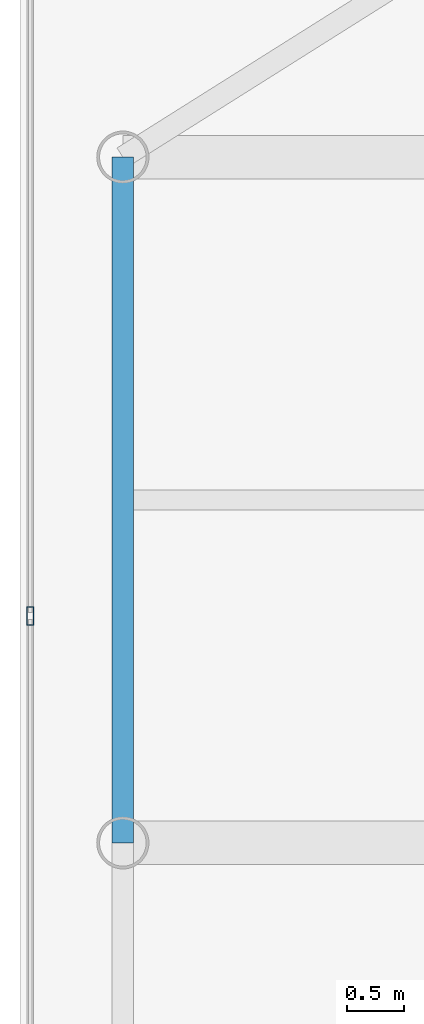
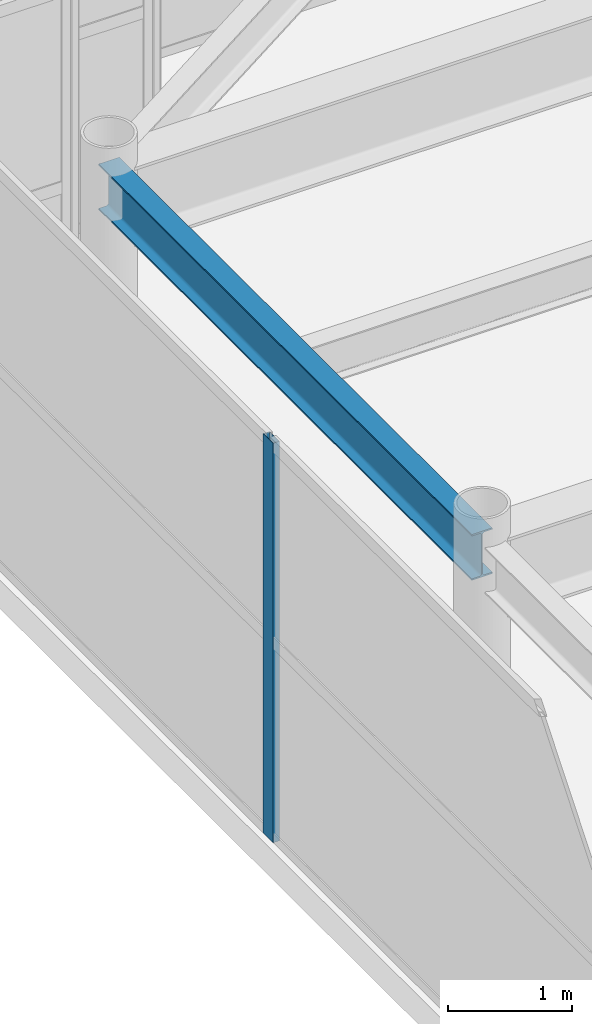
# One storey, part 13 of 32: 1 beam, 1 member, 1 element without a shape of its own.
"""IFC4 building model written with IfcOpenShell, lengths in metres."""

import ifcopenshell
import ifcopenshell.guid

model = None  # the IFC model being written
_history = None  # IfcOwnerHistory: only IFC2X3 demands one
_inside = {}  # id of a spatial element -> (the spatial element, [elements in it])
_under = {}  # id of a project, library or spatial element -> (it, [spatial elements below it])
_declared = {}  # id of a project -> (the project, [libraries it declares])
_typed = {}  # id of a type object -> (the type object, [elements of that type])
_made_of = {}  # id of a material, layer set ... -> (it, [elements and type objects made of it])


def new_model(schema):
    """Start an empty IFC model of exactly this schema.

    Asked for "IFC4X3", IfcOpenShell would pick the latest addendum, in which some entities
    have other attributes; the version numbers below select the first issue.
    IFC2X3 requires an IfcOwnerHistory on every rooted entity: one is made here for all.
    """
    global model, _history
    if schema == "IFC4X3":
        model = ifcopenshell.file(schema_version=(4, 3, 0, 0))
    else:
        model = ifcopenshell.file(schema=schema)
    _inside.clear()
    _under.clear()
    _declared.clear()
    _typed.clear()
    _made_of.clear()
    _history = None
    if model.schema == "IFC2X3":
        org = make("IfcOrganization", Name="unknown")
        user = make(
            "IfcPersonAndOrganization",
            ThePerson=make("IfcPerson", FamilyName="unknown"),
            TheOrganization=org,
        )
        app = make(
            "IfcApplication",
            ApplicationDeveloper=org,
            Version="unknown",
            ApplicationFullName="unknown",
            ApplicationIdentifier="unknown",
        )
        _history = make(
            "IfcOwnerHistory",
            OwningUser=user,
            OwningApplication=app,
            ChangeAction="ADDED",
            CreationDate=0,
        )
    return model


def make(cls, **values):
    """One entity of the class cls with the attributes given. An attribute that is None is left unset."""
    return model.create_entity(
        cls, **{name: value for name, value in values.items() if value is not None}
    )


def rooted(cls, **values):
    """An entity with a GlobalId (a new one), such as an element, a storey or a relation."""
    return make(cls, GlobalId=ifcopenshell.guid.new(), OwnerHistory=_history, **values)


def si_unit(unit_type, name, prefix=None):
    """IfcSIUnit, for example si_unit("LENGTHUNIT", "METRE", prefix="MILLI")."""
    return make("IfcSIUnit", UnitType=unit_type, Prefix=prefix, Name=name)


def assignment(units):
    """IfcUnitAssignment: the units of a project."""
    return None if units is None else make("IfcUnitAssignment", Units=units)


def point(xyz):
    """IfcCartesianPoint."""
    return None if xyz is None else make("IfcCartesianPoint", Coordinates=xyz)


def direction(xyz):
    """IfcDirection."""
    return None if xyz is None else make("IfcDirection", DirectionRatios=xyz)


def frame(location, z_axis=None, x_axis=None):
    """IfcAxis2Placement3D, a coordinate frame: its origin and axes. An axis left out is left unset."""
    return make(
        "IfcAxis2Placement3D",
        Location=point(location),
        Axis=direction(z_axis),
        RefDirection=direction(x_axis),
    )


def frame_2d(location, x_axis=None):
    """IfcAxis2Placement2D, a coordinate frame in the plane: its origin and x axis."""
    return make(
        "IfcAxis2Placement2D", Location=point(location), RefDirection=direction(x_axis)
    )


def origin():
    """The frame at (0, 0, 0) with its axes left unset."""
    return frame((0.0, 0.0, 0.0))


def origin_2d():
    """The frame at (0, 0) in the plane with its x axis left unset."""
    return frame_2d((0.0, 0.0))


def place(relative_to, where):
    """IfcLocalPlacement: puts the frame where relative to a parent placement (None: the world)."""
    return make(
        "IfcLocalPlacement", PlacementRelTo=relative_to, RelativePlacement=where
    )


def context(
    kind, dimensions, precision=None, world=None, true_north=None, identifier=None
):
    """IfcGeometricRepresentationContext, for example the 3D "Model" context."""
    return make(
        "IfcGeometricRepresentationContext",
        ContextIdentifier=identifier,
        ContextType=kind,
        CoordinateSpaceDimension=dimensions,
        Precision=precision,
        WorldCoordinateSystem=world,
        TrueNorth=true_north,
    )


def subcontext(parent, identifier, kind, view, scale=None):
    """IfcGeometricRepresentationSubContext, for example "Body" below "Model"."""
    return make(
        "IfcGeometricRepresentationSubContext",
        ContextIdentifier=identifier,
        ContextType=kind,
        ParentContext=parent,
        TargetScale=scale,
        TargetView=view,
    )


def project(units=None, contexts=None):
    """IfcProject with its units and contexts."""
    return rooted(
        "IfcProject",
        Name="project",
        RepresentationContexts=contexts,
        UnitsInContext=assignment(units),
    )


def spatial(cls, under=None, at=None, **own):
    """A site, building, storey or space (cls), placed at a placement, below another one or the project."""
    s = rooted(cls, ObjectPlacement=at, **own)
    if under is not None:
        _under.setdefault(under.id(), (under, []))[1].append(s)
    return s


def profile(cls, at=None, kind="AREA", **sizes):
    """A parametric profile (cls). Its sizes go by their IFC names, for example OverallWidth=200.0."""
    return make(cls, ProfileType=kind, Position=at, **sizes)


def hollow_rectangle(**sizes):
    """IfcRectangleHollowProfileDef."""
    return profile("IfcRectangleHollowProfileDef", **sizes)


def i_section(**sizes):
    """IfcIShapeProfileDef."""
    return profile("IfcIShapeProfileDef", **sizes)


def extrude(swept, where, along, depth):
    """IfcExtrudedAreaSolid: the profile swept, set in the frame where, extruded along a direction by depth."""
    return make(
        "IfcExtrudedAreaSolid",
        SweptArea=swept,
        Position=where,
        ExtrudedDirection=direction(along),
        Depth=depth,
    )


def shape(context_of_items, identifier, shape_type, items):
    """IfcShapeRepresentation: the items that make up one representation, for example the "Body"."""
    return make(
        "IfcShapeRepresentation",
        ContextOfItems=context_of_items,
        RepresentationIdentifier=identifier,
        RepresentationType=shape_type,
        Items=items,
    )


def source(mapping_origin, context_of_items, identifier, shape_type, items):
    """IfcRepresentationMap: a shape defined once, which mapped items show again and again."""
    return make(
        "IfcRepresentationMap",
        MappingOrigin=mapping_origin,
        MappedRepresentation=shape(context_of_items, identifier, shape_type, items),
    )


def transform(
    local_origin,
    x_axis=None,
    y_axis=None,
    z_axis=None,
    scale=None,
    scale2=None,
    scale3=None,
    uniform=True,
):
    """IfcCartesianTransformationOperator3D, or its non-uniform kind. x_axis, y_axis, z_axis: its Axis1, 2, 3."""
    if uniform:
        return make(
            "IfcCartesianTransformationOperator3D",
            Axis1=direction(x_axis),
            Axis2=direction(y_axis),
            LocalOrigin=point(local_origin),
            Scale=scale,
            Axis3=direction(z_axis),
        )
    return make(
        "IfcCartesianTransformationOperator3DnonUniform",
        Axis1=direction(x_axis),
        Axis2=direction(y_axis),
        LocalOrigin=point(local_origin),
        Scale=scale,
        Axis3=direction(z_axis),
        Scale2=scale2,
        Scale3=scale3,
    )


def mapped(mapping_source, mapping_target):
    """IfcMappedItem: shows the shape of a source again, moved by a transform."""
    return make(
        "IfcMappedItem", MappingSource=mapping_source, MappingTarget=mapping_target
    )


def material(Name=None, Category=None):
    """IfcMaterial."""
    return make("IfcMaterial", Name=Name, Category=Category)


def layer(
    of_material, thickness, ventilated=None, Name=None, Category=None, Priority=None
):
    """IfcMaterialLayer: one layer of a wall or slab, of a material (None: an air gap)."""
    return make(
        "IfcMaterialLayer",
        Material=of_material,
        LayerThickness=thickness,
        IsVentilated=ventilated,
        Name=Name,
        Category=Category,
        Priority=Priority,
    )


def layer_set(layers, Name=None):
    """IfcMaterialLayerSet."""
    return make("IfcMaterialLayerSet", MaterialLayers=layers, LayerSetName=Name)


def material_profile(
    of_material, cross_section, Name=None, Category=None, Priority=None
):
    """IfcMaterialProfile: a cross section and its material."""
    return make(
        "IfcMaterialProfile",
        Name=Name,
        Material=of_material,
        Profile=cross_section,
        Priority=Priority,
        Category=Category,
    )


def profile_set(profiles, Name=None, composite=None):
    """IfcMaterialProfileSet."""
    return make(
        "IfcMaterialProfileSet",
        Name=Name,
        MaterialProfiles=profiles,
        CompositeProfile=composite,
    )


def made_of(thing, what):
    """Note that an element or type object is made of a material, layer set ...; save() writes the relation."""
    if what is not None:
        _made_of.setdefault(what.id(), (what, []))[1].append(thing)
    return thing


def type_object(cls, material=None, **own):
    """A type object (cls), such as IfcWallType, which elements share."""
    return made_of(rooted(cls, **own), material)


def element(
    cls,
    number,
    at=None,
    inside=None,
    cuts=None,
    type_object=None,
    material=None,
    context=None,
    identifier="Body",
    shape_type=None,
    held_by="IfcProductDefinitionShape",
    body=None,
    shapes=None,
    **own,
):
    """One element of the class cls, such as IfcWall. Its Tag is "e" and its number.

    at: its placement. inside: the storey or other place that contains it. cuts: it is an
    opening in that element (IfcRelVoidsElement). A single representation is given by context,
    identifier, shape_type and body (its items); several are given by shapes. held_by: the class
    of the entity that holds the representations. save() writes the other relations.
    """
    e = rooted(cls, Tag="e%d" % number, ObjectPlacement=at, **own)
    if body is not None:
        shapes = [shape(context, identifier, shape_type, body)]
    if shapes is not None:
        e.Representation = make(held_by, Representations=shapes)
    if inside is not None:
        _inside.setdefault(inside.id(), (inside, []))[1].append(e)
    if cuts is not None:
        rooted(
            "IfcRelVoidsElement", RelatingBuildingElement=cuts, RelatedOpeningElement=e
        )
    if type_object is not None:
        _typed.setdefault(type_object.id(), (type_object, []))[1].append(e)
    return made_of(e, material)


def aggregate(whole, parts):
    """IfcRelAggregates: a whole, such as a stair, and the parts it consists of."""
    return rooted("IfcRelAggregates", RelatingObject=whole, RelatedObjects=parts)


def save(model, path):
    """Write the relations noted so far, then the file.

    IfcRelAggregates (storeys below a building ...), IfcRelContainedInSpatialStructure (elements
    in a storey), IfcRelDefinesByType, IfcRelAssociatesMaterial and IfcRelDeclares: one each for
    every whole, place, type object, material and project.
    """
    for whole, parts in _under.values():
        aggregate(whole, parts)
    for where, things in _inside.values():
        rooted(
            "IfcRelContainedInSpatialStructure",
            RelatedElements=things,
            RelatingStructure=where,
        )
    for kind, things in _typed.values():
        rooted("IfcRelDefinesByType", RelatedObjects=things, RelatingType=kind)
    for what, things in _made_of.values():
        rooted("IfcRelAssociatesMaterial", RelatedObjects=things, RelatingMaterial=what)
    for by, libraries in _declared.values():
        rooted("IfcRelDeclares", RelatingContext=by, RelatedDefinitions=libraries)
    model.write(path)


model = new_model("IFC4")

# Units and contexts
model_context = context("Model", 3, precision=1e-05, world=origin(), true_north=direction((0.0, 1.0)))
body_context = subcontext(model_context, "Body", "Model", "MODEL_VIEW")
ifc_project = project(units=[si_unit("LENGTHUNIT", "METRE"), si_unit("AREAUNIT", "SQUARE_METRE"), si_unit("VOLUMEUNIT", "CUBIC_METRE"), si_unit("PLANEANGLEUNIT", "RADIAN"), si_unit("MASSUNIT", "GRAM", prefix="KILO")], contexts=[model_context])

# Site, building, storey
site_placement = place(None, origin())
site = spatial("IfcSite", under=ifc_project, at=site_placement, CompositionType="ELEMENT")
building_placement = place(site_placement, origin())
building = spatial("IfcBuilding", under=site, at=building_placement, Name="Khoralis Quay Care Tower", CompositionType="ELEMENT")
storey_placement = place(building_placement, frame((0.0, 0.0, 310.5)))
storey = spatial("IfcBuildingStorey", under=building, at=storey_placement, Name="L81", CompositionType="ELEMENT", Elevation=310.5)

# Beam
ifc_material_1 = material(Name="Steel S355", Category="steel")
ifc_material_profile_1 = material_profile(ifc_material_1, i_section(OverallWidth=0.18994140625, OverallDepth=0.449951171875, WebThickness=0.009521484375, FlangeThickness=0.0146484375, FilletRadius=0.02099609375, at=origin_2d()), Name="Steel S355")
ifc_profile_set_1 = profile_set([ifc_material_profile_1], Name="Steel S355")
beam_type = type_object("IfcBeamType", Name="BM-IPE450", PredefinedType="SPANDREL", material=ifc_profile_set_1)
shared_shape_1 = source(origin(), body_context, "Body", "SweptSolid", [
    extrude(i_section(OverallWidth=0.18994140625, OverallDepth=0.449951171875, WebThickness=0.009521484375, FlangeThickness=0.0146484375, FilletRadius=0.02099609375, at=origin_2d()), origin(), (0.0, 0.0, 1.0), 6.0),
])
beam_placement = place(storey_placement, frame((3.89990234375, 30.0, 3.695068359375), z_axis=(0.0, 1.0, 0.0), x_axis=(-1.0, 0.0, 0.0)))
element("IfcBeam", 1, at=beam_placement, inside=storey, type_object=beam_type, Name="BM-TSP-L81-12", PredefinedType="SPANDREL", context=body_context, shape_type="MappedRepresentation", body=[
    mapped(shared_shape_1, transform((0.0, 0.0, 0.0), scale=1.0)),
])

# Curtain wall, member
ifc_material_2 = material(Name="Pale anodised aluminium", Category="aluminium")
ifc_layer = layer(ifc_material_2, 0.199951171875)
ifc_layer_set = layer_set([ifc_layer], Name="Pale anodised aluminium")
curtain_wall_type = type_object("IfcCurtainWallType", Name="CW-SYS-LANTERN", PredefinedType="NOTDEFINED", material=ifc_layer_set)
curtain_wall_placement = place(storey_placement, origin())
curtain_wall = element("IfcCurtainWall", 2, at=curtain_wall_placement, inside=storey, type_object=curtain_wall_type, Name="L81 Unitised Curtain Wall CW-LN-L81-16", PredefinedType="NOTDEFINED")
ifc_material_profile_2 = material_profile(ifc_material_2, hollow_rectangle(XDim=0.06005859375, YDim=0.159912109375, WallThickness=0.00390625, at=origin_2d()), Name="Pale anodised aluminium")
ifc_profile_set_2 = profile_set([ifc_material_profile_2], Name="Pale anodised aluminium")
member_type = type_object("IfcMemberType", Name="CW-MUL-160", PredefinedType="MULLION", material=ifc_profile_set_2)
shared_shape_2 = source(origin(), body_context, "Body", "SweptSolid", [
    extrude(hollow_rectangle(XDim=0.06005859375, YDim=0.159912109375, WallThickness=0.00390625, at=origin_2d()), origin(), (0.0, 0.0, 1.0), 3.919921875),
])
member_placement = place(storey_placement, frame((3.090087890625, 31.986083984375, 0.0), z_axis=(0.0, 0.0, 1.0), x_axis=(1.0, 0.0, 0.0)))
member = element("IfcMember", 3, at=member_placement, type_object=member_type, Name="CW5 mullion 2", PredefinedType="MULLION", context=body_context, shape_type="MappedRepresentation", body=[
    mapped(shared_shape_2, transform((0.0, 0.0, 0.0), scale=1.0)),
])
aggregate(curtain_wall, [member])

save(model, "model.ifc")
